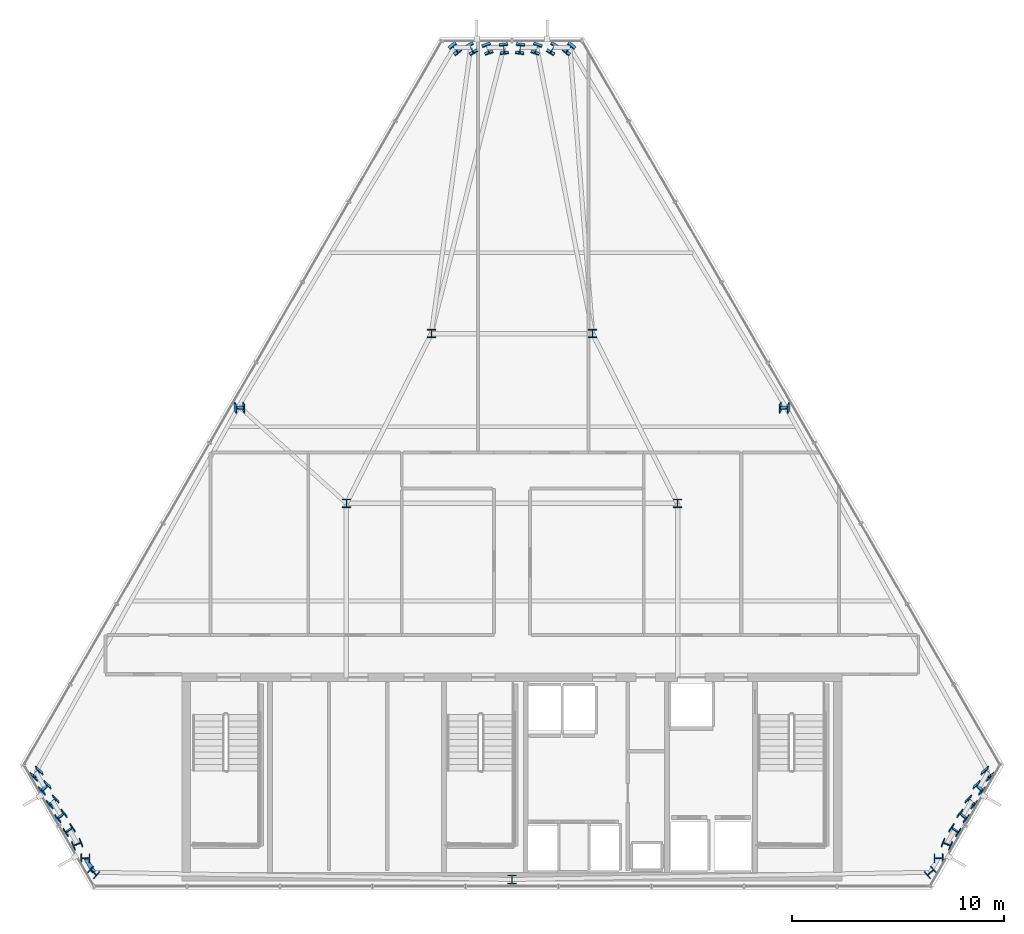
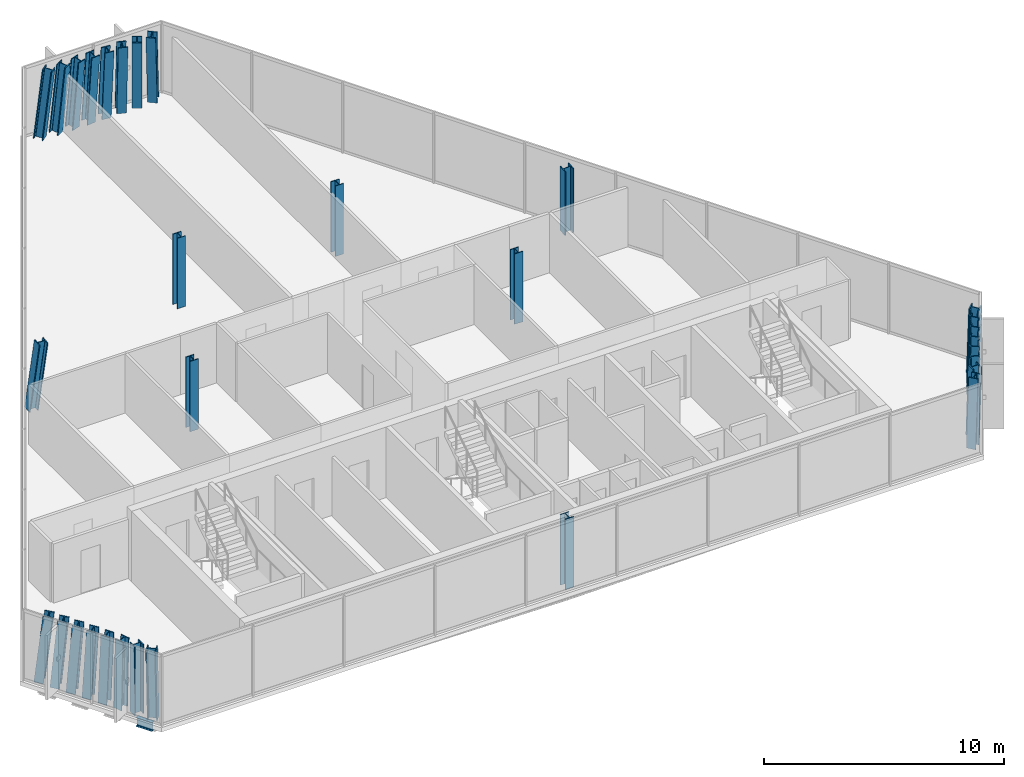
# One storey, part 1 of 29: 31 columns, 1 beam.
"""IFC4 building model written with IfcOpenShell, lengths in metres."""

from ifc_helpers import new_model, si_unit, direction, frame, origin, origin_2d, place, context, subcontext, project, spatial, i_section, extrude, material, material_profile, profile_set, type_object, element, save


model = new_model("IFC4")

# Units and contexts
model_context = context("Model", 3, precision=1e-05, world=origin(), true_north=direction((0.0, 1.0)))
body_context = subcontext(model_context, "Body", "Model", "MODEL_VIEW")
ifc_project = project(units=[si_unit("LENGTHUNIT", "METRE"), si_unit("AREAUNIT", "SQUARE_METRE"), si_unit("VOLUMEUNIT", "CUBIC_METRE"), si_unit("PLANEANGLEUNIT", "RADIAN"), si_unit("MASSUNIT", "GRAM", prefix="KILO")], contexts=[model_context])

# Site, building, storey
site_placement = place(None, origin())
site = spatial("IfcSite", under=ifc_project, at=site_placement, CompositionType="ELEMENT")
building_placement = place(site_placement, origin())
building = spatial("IfcBuilding", under=site, at=building_placement, Name="Ndaravel Arena Tower", CompositionType="ELEMENT")
storey_placement = place(building_placement, frame((0.0, 0.0, 248.39990234375)))
storey = spatial("IfcBuildingStorey", under=building, at=storey_placement, Name="L60", CompositionType="ELEMENT", Elevation=248.39990234375)

# Columns
ifc_material_1 = material(Name="Steel S355", Category="steel")
ifc_material_profile_1 = material_profile(ifc_material_1, i_section(OverallWidth=0.39892578125, OverallDepth=0.3935546875, WebThickness=0.022705078125, FlangeThickness=0.03662109375, FilletRadius=0.01513671875, at=origin_2d()), Name="UC 356x406x287")
ifc_profile_set_1 = profile_set([ifc_material_profile_1], Name="Steel S355")
column_type_1 = type_object("IfcColumnType", Name="COL-INT-UC287", PredefinedType="COLUMN", material=ifc_profile_set_1)
for number, where, z_axis, x_axis, name in (
    (1, (34.199951171875, 23.199951171875, 0.0), (0.0, 0.0, 1.0), (1.0, 0.0, 0.0), "L60 Interior Spine Column IC-01"),
    (2, (49.800048828125, 23.199951171875, 0.0), (0.0, 0.0, 1.0), (1.0, 0.0, 0.0), "L60 Interior Spine Column IC-02"),
    (3, (38.199951171875, 31.199951171875, 0.0), (0.0, 0.0, 1.0), (1.0, 0.0, 0.0), "L60 Interior Spine Column IC-03"),
    (4, (45.800048828125, 31.199951171875, 0.0), (0.0, 0.0, 1.0), (1.0, 0.0, 0.0), "L60 Interior Spine Column IC-04"),
):
    element("IfcColumn", number, at=place(storey_placement, frame(where, z_axis=z_axis, x_axis=x_axis)), inside=storey, type_object=column_type_1, Name=name, PredefinedType="COLUMN", context=body_context, shape_type="SweptSolid", body=[
        extrude(i_section(OverallWidth=0.39892578125, OverallDepth=0.3935546875, WebThickness=0.022705078125, FlangeThickness=0.03662109375, FilletRadius=0.01513671875, at=origin_2d()), origin(), (0.0, 0.0, 1.0), 3.580078125),
    ])
ifc_material_2 = material(Name="Steel S355", Category="steel")
ifc_material_profile_2 = material_profile(ifc_material_2, i_section(OverallWidth=0.412109375, OverallDepth=0.43505859375, WebThickness=0.035888671875, FlangeThickness=0.0439453125, FilletRadius=0.014892578125, at=origin_2d()), Name="HD 400x463")
ifc_profile_set_2 = profile_set([ifc_material_profile_2], Name="Steel S355")
column_type_2 = type_object("IfcColumnType", Name="COL-TUBE-HD463", PredefinedType="COLUMN", material=ifc_profile_set_2)
column_1_placement = place(storey_placement, frame((42.0, 5.47998046875, 0.0), z_axis=(0.0, 0.0, 1.0), x_axis=(1.0, 0.0, 0.0)))
element("IfcColumn", 5, at=column_1_placement, inside=storey, type_object=column_type_2, Name="L60 Framed Tube Column TC-01", PredefinedType="COLUMN", context=body_context, shape_type="SweptSolid", body=[
    extrude(i_section(OverallWidth=0.412109375, OverallDepth=0.43505859375, WebThickness=0.035888671875, FlangeThickness=0.0439453125, FilletRadius=0.014892578125, at=origin_2d()), origin(), (0.0, 0.0, 1.0), 3.580078125),
])
column_2_placement = place(storey_placement, frame((61.7021484375, 5.817626953125, 0.0), z_axis=(0.025904104361, -0.008793761743, 0.999625753536), x_axis=(-0.659025814522, 0.751747105842, 0.023691024698)))
element("IfcColumn", 6, at=column_2_placement, inside=storey, type_object=column_type_2, Name="L60 Framed Tube Column TC-02", PredefinedType="COLUMN", context=body_context, shape_type="SweptSolid", body=[
    extrude(i_section(OverallWidth=0.412109375, OverallDepth=0.43505859375, WebThickness=0.035888671875, FlangeThickness=0.0439453125, FilletRadius=0.014892578125, at=origin_2d()), origin(), (0.0, 0.0, 1.0), 3.581298828125),
])
column_3_placement = place(storey_placement, frame((62.092041015625, 6.492919921875, 0.0), z_axis=(0.015813602401, -0.026310562616, 0.99952873109), x_axis=(-0.017371185195, 0.999495625368, 0.02658452171)))
element("IfcColumn", 7, at=column_3_placement, inside=storey, type_object=column_type_2, Name="L60 Framed Tube Column TC-03", PredefinedType="COLUMN", context=body_context, shape_type="SweptSolid", body=[
    extrude(i_section(OverallWidth=0.412109375, OverallDepth=0.43505859375, WebThickness=0.035888671875, FlangeThickness=0.0439453125, FilletRadius=0.014892578125, at=origin_2d()), origin(), (0.0, 0.0, 1.0), 3.581787109375),
])
column_4_placement = place(storey_placement, frame((62.48193359375, 7.168212890625, 0.0), z_axis=(0.005654596027, -0.043806087294, 0.999024049891), x_axis=(0.385125164829, 0.922071253543, 0.038251938581)))
element("IfcColumn", 8, at=column_4_placement, inside=storey, type_object=column_type_2, Name="L60 Framed Tube Column TC-04", PredefinedType="COLUMN", context=body_context, shape_type="SweptSolid", body=[
    extrude(i_section(OverallWidth=0.412109375, OverallDepth=0.43505859375, WebThickness=0.035888671875, FlangeThickness=0.0439453125, FilletRadius=0.014892578125, at=origin_2d()), origin(), (0.0, 0.0, 1.0), 3.58349609375),
])
column_5_placement = place(storey_placement, frame((62.871826171875, 7.843505859375, 0.0), z_axis=(-0.004492319885, -0.061258907529, 0.998111800006), x_axis=(0.561879806224, 0.825506788185, 0.053194229172)))
element("IfcColumn", 9, at=column_5_placement, inside=storey, type_object=column_type_2, Name="L60 Framed Tube Column TC-05", PredefinedType="COLUMN", context=body_context, shape_type="SweptSolid", body=[
    extrude(i_section(OverallWidth=0.412109375, OverallDepth=0.43505859375, WebThickness=0.035888671875, FlangeThickness=0.0439453125, FilletRadius=0.014892578125, at=origin_2d()), origin(), (0.0, 0.0, 1.0), 3.5869140625),
])
column_6_placement = place(storey_placement, frame((63.26171875, 8.5185546875, 0.0), z_axis=(-0.014546809281, -0.078647936157, 0.996796314438), x_axis=(0.648665532767, 0.75791503215, 0.069266374537)))
element("IfcColumn", 10, at=column_6_placement, inside=storey, type_object=column_type_2, Name="L60 Framed Tube Column TC-06", PredefinedType="COLUMN", context=body_context, shape_type="SweptSolid", body=[
    extrude(i_section(OverallWidth=0.412109375, OverallDepth=0.43505859375, WebThickness=0.035888671875, FlangeThickness=0.0439453125, FilletRadius=0.014892578125, at=origin_2d()), origin(), (0.0, 0.0, 1.0), 3.591552734375),
])
column_7_placement = place(storey_placement, frame((63.651611328125, 9.19384765625, 0.0), z_axis=(-0.024632735743, -0.095952309479, 0.995081093497), x_axis=(0.698578734935, 0.710371408541, 0.085791683883)))
element("IfcColumn", 11, at=column_7_placement, inside=storey, type_object=column_type_2, Name="L60 Framed Tube Column TC-07", PredefinedType="COLUMN", context=body_context, shape_type="SweptSolid", body=[
    extrude(i_section(OverallWidth=0.412109375, OverallDepth=0.43505859375, WebThickness=0.035888671875, FlangeThickness=0.0439453125, FilletRadius=0.014892578125, at=origin_2d()), origin(), (0.0, 0.0, 1.0), 3.59765625),
])
column_8_placement = place(storey_placement, frame((64.041259765625, 9.869140625, 0.0), z_axis=(-0.03453480772, -0.113152281763, 0.9929772949), x_axis=(0.72925124523, 0.676532004026, 0.10245520416)))
element("IfcColumn", 12, at=column_8_placement, inside=storey, type_object=column_type_2, Name="L60 Framed Tube Column TC-08", PredefinedType="COLUMN", context=body_context, shape_type="SweptSolid", body=[
    extrude(i_section(OverallWidth=0.412109375, OverallDepth=0.43505859375, WebThickness=0.035888671875, FlangeThickness=0.0439453125, FilletRadius=0.014892578125, at=origin_2d()), origin(), (0.0, 0.0, 1.0), 3.60546875),
])
column_9_placement = place(storey_placement, frame((64.43115234375, 10.54443359375, 0.0), z_axis=(-0.044511969596, -0.130293762292, 0.990475754408), x_axis=(0.750456045838, 0.650074909775, 0.11924065979)))
element("IfcColumn", 13, at=column_9_placement, inside=storey, type_object=column_type_2, Name="L60 Framed Tube Column TC-09", PredefinedType="COLUMN", context=body_context, shape_type="SweptSolid", body=[
    extrude(i_section(OverallWidth=0.412109375, OverallDepth=0.43505859375, WebThickness=0.035888671875, FlangeThickness=0.0439453125, FilletRadius=0.014892578125, at=origin_2d()), origin(), (0.0, 0.0, 1.0), 3.614501953125),
])
column_10_placement = place(storey_placement, frame((54.87255859375, 27.77587890625, 0.0), z_axis=(-0.064911794707, -0.112513777493, 0.991527664154), x_axis=(-0.003987046067, 0.993644521472, 0.112492970506)))
element("IfcColumn", 14, at=column_10_placement, inside=storey, type_object=column_type_2, Name="L60 Framed Tube Column TC-10", PredefinedType="COLUMN", context=body_context, shape_type="SweptSolid", body=[
    extrude(i_section(OverallWidth=0.412109375, OverallDepth=0.43505859375, WebThickness=0.035888671875, FlangeThickness=0.0439453125, FilletRadius=0.014892578125, at=origin_2d()), origin(), (0.0, 0.0, 1.0), 3.610595703125),
])
column_11_placement = place(storey_placement, frame((44.72900390625, 44.669677734375, 0.0), z_axis=(-0.070414334946, -0.086069495074, 0.993797697447), x_axis=(0.773984451607, -0.633204602535, 0.0)))
element("IfcColumn", 15, at=column_11_placement, inside=storey, type_object=column_type_2, Name="L60 Framed Tube Column TC-11", PredefinedType="COLUMN", context=body_context, shape_type="SweptSolid", body=[
    extrude(i_section(OverallWidth=0.412109375, OverallDepth=0.43505859375, WebThickness=0.035888671875, FlangeThickness=0.0439453125, FilletRadius=0.014892578125, at=origin_2d()), origin(), (0.0, 0.0, 1.0), 3.6025390625),
])
column_12_placement = place(storey_placement, frame((43.94921875, 44.669677734375, 0.0), z_axis=(-0.050347467933, -0.086174237567, 0.995007102112), x_axis=(0.863433479771, -0.504462710228, 0.0)))
element("IfcColumn", 16, at=column_12_placement, inside=storey, type_object=column_type_2, Name="L60 Framed Tube Column TC-12", PredefinedType="COLUMN", context=body_context, shape_type="SweptSolid", body=[
    extrude(i_section(OverallWidth=0.412109375, OverallDepth=0.43505859375, WebThickness=0.035888671875, FlangeThickness=0.0439453125, FilletRadius=0.014892578125, at=origin_2d()), origin(), (0.0, 0.0, 1.0), 3.59814453125),
])
column_13_placement = place(storey_placement, frame((43.169677734375, 44.669677734375, 0.0), z_axis=(-0.030287291733, -0.086244081841, 0.995813555997), x_axis=(0.943510365384, -0.331343010206, 0.0)))
element("IfcColumn", 17, at=column_13_placement, inside=storey, type_object=column_type_2, Name="L60 Framed Tube Column TC-13", PredefinedType="COLUMN", context=body_context, shape_type="SweptSolid", body=[
    extrude(i_section(OverallWidth=0.412109375, OverallDepth=0.43505859375, WebThickness=0.035888671875, FlangeThickness=0.0439453125, FilletRadius=0.014892578125, at=origin_2d()), origin(), (0.0, 0.0, 1.0), 3.59521484375),
])
for number, where, z_axis, x_axis, name in (
    (18, (42.389892578125, 44.669677734375, 0.0), (-0.010122525609, -0.086279245125, 0.996219567332), (0.993187920525, -0.116523622172, 0.0), "L60 Framed Tube Column TC-14"),
    (19, (41.610107421875, 44.669677734375, 0.0), (0.010122525609, -0.086279245125, 0.996219567332), (0.993187920525, 0.116523622172, 0.0), "L60 Framed Tube Column TC-15"),
):
    element("IfcColumn", number, at=place(storey_placement, frame(where, z_axis=z_axis, x_axis=x_axis)), inside=storey, type_object=column_type_2, Name=name, PredefinedType="COLUMN", context=body_context, shape_type="SweptSolid", body=[
        extrude(i_section(OverallWidth=0.412109375, OverallDepth=0.43505859375, WebThickness=0.035888671875, FlangeThickness=0.0439453125, FilletRadius=0.014892578125, at=origin_2d()), origin(), (0.0, 0.0, 1.0), 3.59375),
    ])
column_14_placement = place(storey_placement, frame((40.830322265625, 44.669677734375, 0.0), z_axis=(0.030287291733, -0.086244081841, 0.995813555997), x_axis=(0.943510365384, 0.331343010206, 0.0)))
element("IfcColumn", 20, at=column_14_placement, inside=storey, type_object=column_type_2, Name="L60 Framed Tube Column TC-16", PredefinedType="COLUMN", context=body_context, shape_type="SweptSolid", body=[
    extrude(i_section(OverallWidth=0.412109375, OverallDepth=0.43505859375, WebThickness=0.035888671875, FlangeThickness=0.0439453125, FilletRadius=0.014892578125, at=origin_2d()), origin(), (0.0, 0.0, 1.0), 3.59521484375),
])
column_15_placement = place(storey_placement, frame((40.05078125, 44.669677734375, 0.0), z_axis=(0.050347467933, -0.086174237567, 0.995007102112), x_axis=(0.863433479771, 0.504462710228, 0.0)))
element("IfcColumn", 21, at=column_15_placement, inside=storey, type_object=column_type_2, Name="L60 Framed Tube Column TC-17", PredefinedType="COLUMN", context=body_context, shape_type="SweptSolid", body=[
    extrude(i_section(OverallWidth=0.412109375, OverallDepth=0.43505859375, WebThickness=0.035888671875, FlangeThickness=0.0439453125, FilletRadius=0.014892578125, at=origin_2d()), origin(), (0.0, 0.0, 1.0), 3.59814453125),
])
column_16_placement = place(storey_placement, frame((39.27099609375, 44.669677734375, 0.0), z_axis=(0.070414334946, -0.086069495074, 0.993797697447), x_axis=(0.773984451607, 0.633204602535, 0.0)))
element("IfcColumn", 22, at=column_16_placement, inside=storey, type_object=column_type_2, Name="L60 Framed Tube Column TC-18", PredefinedType="COLUMN", context=body_context, shape_type="SweptSolid", body=[
    extrude(i_section(OverallWidth=0.412109375, OverallDepth=0.43505859375, WebThickness=0.035888671875, FlangeThickness=0.0439453125, FilletRadius=0.014892578125, at=origin_2d()), origin(), (0.0, 0.0, 1.0), 3.6025390625),
])
column_17_placement = place(storey_placement, frame((29.12744140625, 27.77587890625, 0.0), z_axis=(0.064979125812, -0.112513283404, 0.991523309996), x_axis=(0.003541025757, 0.993642952391, 0.112521750343)))
element("IfcColumn", 23, at=column_17_placement, inside=storey, type_object=column_type_2, Name="L60 Framed Tube Column TC-19", PredefinedType="COLUMN", context=body_context, shape_type="SweptSolid", body=[
    extrude(i_section(OverallWidth=0.412109375, OverallDepth=0.43505859375, WebThickness=0.035888671875, FlangeThickness=0.0439453125, FilletRadius=0.014892578125, at=origin_2d()), origin(), (0.0, 0.0, 1.0), 3.610595703125),
])
column_18_placement = place(storey_placement, frame((19.56884765625, 10.54443359375, 0.0), z_axis=(0.044511969596, -0.130293762292, 0.990475754408), x_axis=(-0.750456045838, 0.650074909775, 0.11924065979)))
element("IfcColumn", 24, at=column_18_placement, inside=storey, type_object=column_type_2, Name="L60 Framed Tube Column TC-20", PredefinedType="COLUMN", context=body_context, shape_type="SweptSolid", body=[
    extrude(i_section(OverallWidth=0.412109375, OverallDepth=0.43505859375, WebThickness=0.035888671875, FlangeThickness=0.0439453125, FilletRadius=0.014892578125, at=origin_2d()), origin(), (0.0, 0.0, 1.0), 3.614501953125),
])
column_19_placement = place(storey_placement, frame((19.958740234375, 9.869140625, 0.0), z_axis=(0.03453480772, -0.113152281763, 0.9929772949), x_axis=(-0.72925124523, 0.676532004026, 0.10245520416)))
element("IfcColumn", 25, at=column_19_placement, inside=storey, type_object=column_type_2, Name="L60 Framed Tube Column TC-21", PredefinedType="COLUMN", context=body_context, shape_type="SweptSolid", body=[
    extrude(i_section(OverallWidth=0.412109375, OverallDepth=0.43505859375, WebThickness=0.035888671875, FlangeThickness=0.0439453125, FilletRadius=0.014892578125, at=origin_2d()), origin(), (0.0, 0.0, 1.0), 3.60546875),
])
column_20_placement = place(storey_placement, frame((20.348388671875, 9.19384765625, 0.0), z_axis=(0.024632735743, -0.095952309479, 0.995081093497), x_axis=(-0.698578734935, 0.710371408541, 0.085791683883)))
element("IfcColumn", 26, at=column_20_placement, inside=storey, type_object=column_type_2, Name="L60 Framed Tube Column TC-22", PredefinedType="COLUMN", context=body_context, shape_type="SweptSolid", body=[
    extrude(i_section(OverallWidth=0.412109375, OverallDepth=0.43505859375, WebThickness=0.035888671875, FlangeThickness=0.0439453125, FilletRadius=0.014892578125, at=origin_2d()), origin(), (0.0, 0.0, 1.0), 3.59765625),
])
column_21_placement = place(storey_placement, frame((20.73828125, 8.5185546875, 0.0), z_axis=(0.014546809281, -0.078647936157, 0.996796314438), x_axis=(-0.648665532767, 0.75791503215, 0.069266374537)))
element("IfcColumn", 27, at=column_21_placement, inside=storey, type_object=column_type_2, Name="L60 Framed Tube Column TC-23", PredefinedType="COLUMN", context=body_context, shape_type="SweptSolid", body=[
    extrude(i_section(OverallWidth=0.412109375, OverallDepth=0.43505859375, WebThickness=0.035888671875, FlangeThickness=0.0439453125, FilletRadius=0.014892578125, at=origin_2d()), origin(), (0.0, 0.0, 1.0), 3.591552734375),
])
column_22_placement = place(storey_placement, frame((21.128173828125, 7.843505859375, 0.0), z_axis=(0.004492319885, -0.061258907529, 0.998111800006), x_axis=(-0.561879806224, 0.825506788185, 0.053194229172)))
element("IfcColumn", 28, at=column_22_placement, inside=storey, type_object=column_type_2, Name="L60 Framed Tube Column TC-24", PredefinedType="COLUMN", context=body_context, shape_type="SweptSolid", body=[
    extrude(i_section(OverallWidth=0.412109375, OverallDepth=0.43505859375, WebThickness=0.035888671875, FlangeThickness=0.0439453125, FilletRadius=0.014892578125, at=origin_2d()), origin(), (0.0, 0.0, 1.0), 3.5869140625),
])
column_23_placement = place(storey_placement, frame((21.51806640625, 7.168212890625, 0.0), z_axis=(-0.005654596027, -0.043806087294, 0.999024049891), x_axis=(-0.385125164829, 0.922071253543, 0.038251938581)))
element("IfcColumn", 29, at=column_23_placement, inside=storey, type_object=column_type_2, Name="L60 Framed Tube Column TC-25", PredefinedType="COLUMN", context=body_context, shape_type="SweptSolid", body=[
    extrude(i_section(OverallWidth=0.412109375, OverallDepth=0.43505859375, WebThickness=0.035888671875, FlangeThickness=0.0439453125, FilletRadius=0.014892578125, at=origin_2d()), origin(), (0.0, 0.0, 1.0), 3.58349609375),
])
column_24_placement = place(storey_placement, frame((21.907958984375, 6.492919921875, 0.0), z_axis=(-0.015813602401, -0.026310562616, 0.99952873109), x_axis=(0.017371185195, 0.999495625368, 0.02658452171)))
element("IfcColumn", 30, at=column_24_placement, inside=storey, type_object=column_type_2, Name="L60 Framed Tube Column TC-26", PredefinedType="COLUMN", context=body_context, shape_type="SweptSolid", body=[
    extrude(i_section(OverallWidth=0.412109375, OverallDepth=0.43505859375, WebThickness=0.035888671875, FlangeThickness=0.0439453125, FilletRadius=0.014892578125, at=origin_2d()), origin(), (0.0, 0.0, 1.0), 3.581787109375),
])
column_25_placement = place(storey_placement, frame((22.2978515625, 5.817626953125, 0.0), z_axis=(-0.025904104361, -0.008793761743, 0.999625753536), x_axis=(0.659025814522, 0.751747105842, 0.023691024698)))
element("IfcColumn", 31, at=column_25_placement, inside=storey, type_object=column_type_2, Name="L60 Framed Tube Column TC-27", PredefinedType="COLUMN", context=body_context, shape_type="SweptSolid", body=[
    extrude(i_section(OverallWidth=0.412109375, OverallDepth=0.43505859375, WebThickness=0.035888671875, FlangeThickness=0.0439453125, FilletRadius=0.014892578125, at=origin_2d()), origin(), (0.0, 0.0, 1.0), 3.581298828125),
])

# Beam
ifc_material_3 = material(Name="Steel S355", Category="steel")
ifc_material_profile_3 = material_profile(ifc_material_3, i_section(OverallWidth=0.18994140625, OverallDepth=0.449951171875, WebThickness=0.009521484375, FlangeThickness=0.0146484375, FilletRadius=0.02099609375, at=origin_2d()), Name="IPE 450")
ifc_profile_set_3 = profile_set([ifc_material_profile_3], Name="Steel S355")
beam_type = type_object("IfcBeamType", Name="BM-SPAN-IPE450", PredefinedType="SPANDREL", material=ifc_profile_set_3)
beam_placement = place(storey_placement, frame((21.907958984375, 6.492919921875, -0.44482421875), z_axis=(0.500011542666, -0.866018739521, 0.0), x_axis=(0.866018739521, 0.500011542666, 0.0)))
element("IfcBeam", 32, at=beam_placement, inside=storey, type_object=beam_type, Name="L60 Perimeter Spandrel Beam SP-26", PredefinedType="SPANDREL", context=body_context, shape_type="SweptSolid", body=[
    extrude(i_section(OverallWidth=0.18994140625, OverallDepth=0.449951171875, WebThickness=0.009521484375, FlangeThickness=0.0146484375, FilletRadius=0.02099609375, at=origin_2d()), origin(), (0.0, 0.0, 1.0), 0.77978515625),
])

save(model, "model.ifc")
